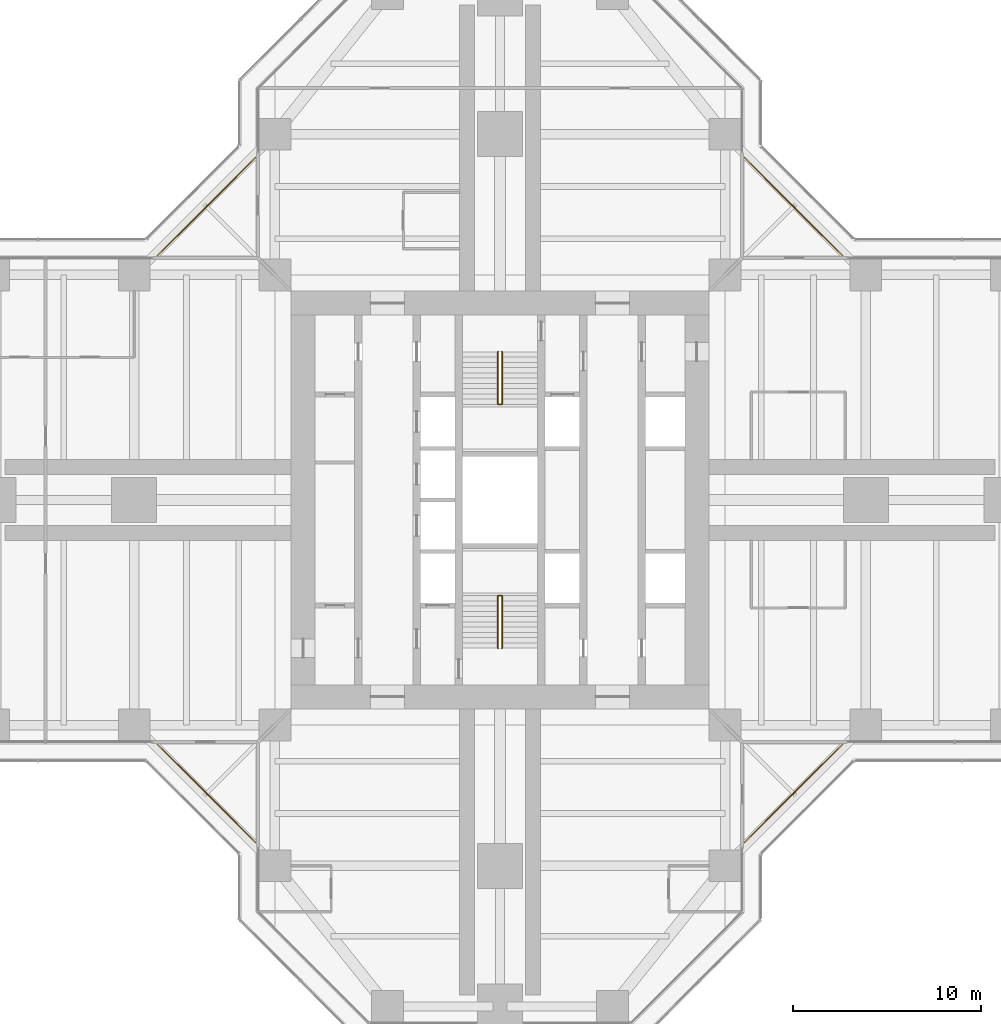
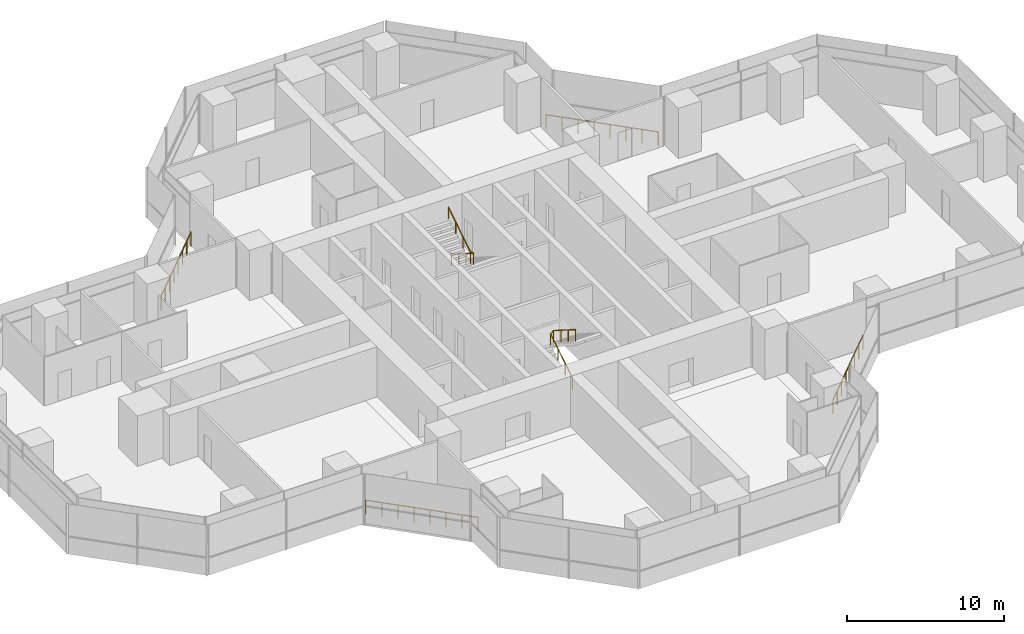
# One storey, part 19 of 19: 6 railings.
"""IFC4 building model written with IfcOpenShell, lengths in metres."""

from ifc_helpers import new_model, si_unit, direction, frame, origin, origin_2d, place, context, subcontext, project, spatial, circle, extrude, material, type_object, element, save


model = new_model("IFC4")

# Units and contexts
model_context = context("Model", 3, precision=1e-05, world=origin(), true_north=direction((0.0, 1.0)))
body_context = subcontext(model_context, "Body", "Model", "MODEL_VIEW")
ifc_project = project(units=[si_unit("LENGTHUNIT", "METRE"), si_unit("AREAUNIT", "SQUARE_METRE"), si_unit("VOLUMEUNIT", "CUBIC_METRE"), si_unit("PLANEANGLEUNIT", "RADIAN"), si_unit("MASSUNIT", "GRAM", prefix="KILO")], contexts=[model_context])

# Site, building, storey
site_placement = place(None, origin())
site = spatial("IfcSite", under=ifc_project, at=site_placement, CompositionType="ELEMENT")
building_placement = place(site_placement, origin())
building = spatial("IfcBuilding", under=site, at=building_placement, Name="Mizan Broadcast Tower", CompositionType="ELEMENT")
storey_placement = place(building_placement, frame((0.0, 0.0, 163.199951171875)))
storey = spatial("IfcBuildingStorey", under=building, at=storey_placement, Name="L37", CompositionType="ELEMENT", Elevation=163.199951171875)

# Railings
ifc_material_1 = material(Name="Stainless steel and glass guard", Category="steel")
railing_type_1 = type_object("IfcRailingType", Name="GUARD 1100", PredefinedType="GUARDRAIL", material=ifc_material_1)
railing_1_placement = place(storey_placement, frame((18.2578125, 13.030029296875, 0.0)))
element("IfcRailing", 1, at=railing_1_placement, inside=storey, type_object=railing_type_1, Name="Winter garden guard L37 E", PredefinedType="GUARDRAIL", context=body_context, shape_type="SweptSolid", body=[
    extrude(circle(Radius=0.02392578125, at=origin_2d()), frame((0.0, 0.0, 1.076171875), z_axis=(-0.707106781187, 0.707106781187, 0.0), x_axis=(-0.707106781187, -0.707106781187, 0.0)), (0.0, 0.0, 1.0), 7.393310546875),
    extrude(circle(Radius=0.02099609375, at=origin_2d()), origin(), (0.0, 0.0, 1.0), 1.052001953125),
    extrude(circle(Radius=0.02099609375, at=origin_2d()), frame((-0.746826171875, 0.746826171875, 0.0)), (0.0, 0.0, 1.0), 1.052001953125),
    extrude(circle(Radius=0.02099609375, at=origin_2d()), frame((-1.49365234375, 1.49365234375, 0.0)), (0.0, 0.0, 1.0), 1.052001953125),
    extrude(circle(Radius=0.02099609375, at=origin_2d()), frame((-2.240478515625, 2.240478515625, 0.0)), (0.0, 0.0, 1.0), 1.052001953125),
    extrude(circle(Radius=0.02099609375, at=origin_2d()), frame((-2.9873046875, 2.9873046875, 0.0)), (0.0, 0.0, 1.0), 1.052001953125),
    extrude(circle(Radius=0.02099609375, at=origin_2d()), frame((-3.734130859375, 3.734130859375, 0.0)), (0.0, 0.0, 1.0), 1.052001953125),
    extrude(circle(Radius=0.02099609375, at=origin_2d()), frame((-4.48095703125, 4.48095703125, 0.0)), (0.0, 0.0, 1.0), 1.052001953125),
    extrude(circle(Radius=0.02099609375, at=origin_2d()), frame((-5.227783203125, 5.227783203125, 0.0)), (0.0, 0.0, 1.0), 1.052001953125),
])
railing_2_placement = place(storey_placement, frame((-13.030029296875, 18.2578125, 0.0)))
element("IfcRailing", 2, at=railing_2_placement, inside=storey, type_object=railing_type_1, Name="Winter garden guard L37 N", PredefinedType="GUARDRAIL", context=body_context, shape_type="SweptSolid", body=[
    extrude(circle(Radius=0.02392578125, at=origin_2d()), frame((0.0, 0.0, 1.076171875), z_axis=(-0.707106781187, -0.707106781187, 0.0), x_axis=(0.707106781187, -0.707106781187, 0.0)), (0.0, 0.0, 1.0), 7.393310546875),
    extrude(circle(Radius=0.02099609375, at=origin_2d()), origin(), (0.0, 0.0, 1.0), 1.052001953125),
    extrude(circle(Radius=0.02099609375, at=origin_2d()), frame((-0.746826171875, -0.746826171875, 0.0)), (0.0, 0.0, 1.0), 1.052001953125),
    extrude(circle(Radius=0.02099609375, at=origin_2d()), frame((-1.49365234375, -1.49365234375, 0.0)), (0.0, 0.0, 1.0), 1.052001953125),
    extrude(circle(Radius=0.02099609375, at=origin_2d()), frame((-2.240478515625, -2.240478515625, 0.0)), (0.0, 0.0, 1.0), 1.052001953125),
    extrude(circle(Radius=0.02099609375, at=origin_2d()), frame((-2.9873046875, -2.9873046875, 0.0)), (0.0, 0.0, 1.0), 1.052001953125),
    extrude(circle(Radius=0.02099609375, at=origin_2d()), frame((-3.734130859375, -3.734130859375, 0.0)), (0.0, 0.0, 1.0), 1.052001953125),
    extrude(circle(Radius=0.02099609375, at=origin_2d()), frame((-4.48095703125, -4.48095703125, 0.0)), (0.0, 0.0, 1.0), 1.052001953125),
    extrude(circle(Radius=0.02099609375, at=origin_2d()), frame((-5.227783203125, -5.227783203125, 0.0)), (0.0, 0.0, 1.0), 1.052001953125),
])
railing_3_placement = place(storey_placement, frame((-18.2578125, -13.030029296875, 0.0)))
element("IfcRailing", 3, at=railing_3_placement, inside=storey, type_object=railing_type_1, Name="Winter garden guard L37 W", PredefinedType="GUARDRAIL", context=body_context, shape_type="SweptSolid", body=[
    extrude(circle(Radius=0.02392578125, at=origin_2d()), frame((0.0, 0.0, 1.076171875), z_axis=(0.707106781187, -0.707106781187, 0.0), x_axis=(0.707106781187, 0.707106781187, 0.0)), (0.0, 0.0, 1.0), 7.393310546875),
    extrude(circle(Radius=0.02099609375, at=origin_2d()), origin(), (0.0, 0.0, 1.0), 1.052001953125),
    extrude(circle(Radius=0.02099609375, at=origin_2d()), frame((0.746826171875, -0.746826171875, 0.0)), (0.0, 0.0, 1.0), 1.052001953125),
    extrude(circle(Radius=0.02099609375, at=origin_2d()), frame((1.49365234375, -1.49365234375, 0.0)), (0.0, 0.0, 1.0), 1.052001953125),
    extrude(circle(Radius=0.02099609375, at=origin_2d()), frame((2.240478515625, -2.240478515625, 0.0)), (0.0, 0.0, 1.0), 1.052001953125),
    extrude(circle(Radius=0.02099609375, at=origin_2d()), frame((2.9873046875, -2.9873046875, 0.0)), (0.0, 0.0, 1.0), 1.052001953125),
    extrude(circle(Radius=0.02099609375, at=origin_2d()), frame((3.734130859375, -3.734130859375, 0.0)), (0.0, 0.0, 1.0), 1.052001953125),
    extrude(circle(Radius=0.02099609375, at=origin_2d()), frame((4.48095703125, -4.48095703125, 0.0)), (0.0, 0.0, 1.0), 1.052001953125),
    extrude(circle(Radius=0.02099609375, at=origin_2d()), frame((5.227783203125, -5.227783203125, 0.0)), (0.0, 0.0, 1.0), 1.052001953125),
])
railing_4_placement = place(storey_placement, frame((13.030029296875, -18.2578125, 0.0)))
element("IfcRailing", 4, at=railing_4_placement, inside=storey, type_object=railing_type_1, Name="Winter garden guard L37 S", PredefinedType="GUARDRAIL", context=body_context, shape_type="SweptSolid", body=[
    extrude(circle(Radius=0.02392578125, at=origin_2d()), frame((0.0, 0.0, 1.076171875), z_axis=(0.707106781187, 0.707106781187, 0.0), x_axis=(-0.707106781187, 0.707106781187, 0.0)), (0.0, 0.0, 1.0), 7.393310546875),
    extrude(circle(Radius=0.02099609375, at=origin_2d()), origin(), (0.0, 0.0, 1.0), 1.052001953125),
    extrude(circle(Radius=0.02099609375, at=origin_2d()), frame((0.746826171875, 0.746826171875, 0.0)), (0.0, 0.0, 1.0), 1.052001953125),
    extrude(circle(Radius=0.02099609375, at=origin_2d()), frame((1.49365234375, 1.49365234375, 0.0)), (0.0, 0.0, 1.0), 1.052001953125),
    extrude(circle(Radius=0.02099609375, at=origin_2d()), frame((2.240478515625, 2.240478515625, 0.0)), (0.0, 0.0, 1.0), 1.052001953125),
    extrude(circle(Radius=0.02099609375, at=origin_2d()), frame((2.9873046875, 2.9873046875, 0.0)), (0.0, 0.0, 1.0), 1.052001953125),
    extrude(circle(Radius=0.02099609375, at=origin_2d()), frame((3.734130859375, 3.734130859375, 0.0)), (0.0, 0.0, 1.0), 1.052001953125),
    extrude(circle(Radius=0.02099609375, at=origin_2d()), frame((4.48095703125, 4.48095703125, 0.0)), (0.0, 0.0, 1.0), 1.052001953125),
    extrude(circle(Radius=0.02099609375, at=origin_2d()), frame((5.227783203125, 5.227783203125, 0.0)), (0.0, 0.0, 1.0), 1.052001953125),
])
ifc_material_2 = material(Name="Stainless steel", Category="steel")
railing_type_2 = type_object("IfcRailingType", Name="HANDRAIL 50", PredefinedType="HANDRAIL", material=ifc_material_2)
railing_5_placement = place(storey_placement, frame((-0.110107421875, -7.89990234375, 0.17724609375)))
element("IfcRailing", 5, at=railing_5_placement, inside=storey, type_object=railing_type_2, Name="Stair A handrail", PredefinedType="HANDRAIL", context=body_context, shape_type="SweptSolid", body=[
    extrude(circle(Radius=0.02392578125, at=origin_2d()), frame((0.0, 0.0, 0.8759765625), z_axis=(0.0, 0.844887892834, 0.53494340686), x_axis=(-1.0, 0.0, 0.0)), (0.0, 0.0, 1.0), 3.313720703125),
    extrude(circle(Radius=0.02392578125, at=origin_2d()), frame((0.0, 2.7998046875, 2.6484375), z_axis=(0.77858989007, 0.0, 0.627533093216), x_axis=(0.0, 1.0, 0.0)), (0.0, 0.0, 1.0), 0.282958984375),
    extrude(circle(Radius=0.02392578125, at=origin_2d()), frame((0.22021484375, 2.7998046875, 2.826171875), z_axis=(0.0, -0.844887892834, 0.53494340686), x_axis=(1.0, 0.0, 0.0)), (0.0, 0.0, 1.0), 3.313720703125),
    extrude(circle(Radius=0.02099609375, at=origin_2d()), origin(), (0.0, 0.0, 1.0), 0.851806640625),
    extrude(circle(Radius=0.02099609375, at=origin_2d()), frame((0.0, 0.933349609375, 0.5908203125)), (0.0, 0.0, 1.0), 0.851806640625),
    extrude(circle(Radius=0.02099609375, at=origin_2d()), frame((0.0, 1.866455078125, 1.181884765625)), (0.0, 0.0, 1.0), 0.851806640625),
    extrude(circle(Radius=0.02099609375, at=origin_2d()), frame((0.0, 2.7998046875, 1.772705078125)), (0.0, 0.0, 1.0), 0.851806640625),
    extrude(circle(Radius=0.02099609375, at=origin_2d()), frame((0.22021484375, 2.7998046875, 1.9501953125)), (0.0, 0.0, 1.0), 0.851806640625),
    extrude(circle(Radius=0.02099609375, at=origin_2d()), frame((0.22021484375, 1.866455078125, 2.541015625)), (0.0, 0.0, 1.0), 0.851806640625),
    extrude(circle(Radius=0.02099609375, at=origin_2d()), frame((0.22021484375, 0.933349609375, 3.132080078125)), (0.0, 0.0, 1.0), 0.851806640625),
    extrude(circle(Radius=0.02099609375, at=origin_2d()), frame((0.22021484375, 0.0, 3.722900390625)), (0.0, 0.0, 1.0), 0.851806640625),
])
railing_6_placement = place(storey_placement, frame((0.110107421875, 7.89990234375, 0.17724609375)))
element("IfcRailing", 6, at=railing_6_placement, inside=storey, type_object=railing_type_2, Name="Stair B handrail", PredefinedType="HANDRAIL", context=body_context, shape_type="SweptSolid", body=[
    extrude(circle(Radius=0.02392578125, at=origin_2d()), frame((0.0, 0.0, 0.8759765625), z_axis=(0.0, -0.844887892834, 0.53494340686), x_axis=(1.0, 0.0, 0.0)), (0.0, 0.0, 1.0), 3.313720703125),
    extrude(circle(Radius=0.02392578125, at=origin_2d()), frame((0.0, -2.7998046875, 2.6484375), z_axis=(-0.77858989007, 0.0, 0.627533093216), x_axis=(0.0, -1.0, 0.0)), (0.0, 0.0, 1.0), 0.282958984375),
    extrude(circle(Radius=0.02392578125, at=origin_2d()), frame((-0.22021484375, -2.7998046875, 2.826171875), z_axis=(0.0, 0.844887892834, 0.53494340686), x_axis=(-1.0, 0.0, 0.0)), (0.0, 0.0, 1.0), 3.313720703125),
    extrude(circle(Radius=0.02099609375, at=origin_2d()), origin(), (0.0, 0.0, 1.0), 0.851806640625),
    extrude(circle(Radius=0.02099609375, at=origin_2d()), frame((0.0, -0.933349609375, 0.5908203125)), (0.0, 0.0, 1.0), 0.851806640625),
    extrude(circle(Radius=0.02099609375, at=origin_2d()), frame((0.0, -1.866455078125, 1.181884765625)), (0.0, 0.0, 1.0), 0.851806640625),
    extrude(circle(Radius=0.02099609375, at=origin_2d()), frame((0.0, -2.7998046875, 1.772705078125)), (0.0, 0.0, 1.0), 0.851806640625),
    extrude(circle(Radius=0.02099609375, at=origin_2d()), frame((-0.22021484375, -2.7998046875, 1.9501953125)), (0.0, 0.0, 1.0), 0.851806640625),
    extrude(circle(Radius=0.02099609375, at=origin_2d()), frame((-0.22021484375, -1.866455078125, 2.541015625)), (0.0, 0.0, 1.0), 0.851806640625),
    extrude(circle(Radius=0.02099609375, at=origin_2d()), frame((-0.22021484375, -0.933349609375, 3.132080078125)), (0.0, 0.0, 1.0), 0.851806640625),
    extrude(circle(Radius=0.02099609375, at=origin_2d()), frame((-0.22021484375, 0.0, 3.722900390625)), (0.0, 0.0, 1.0), 0.851806640625),
])

save(model, "model.ifc")
